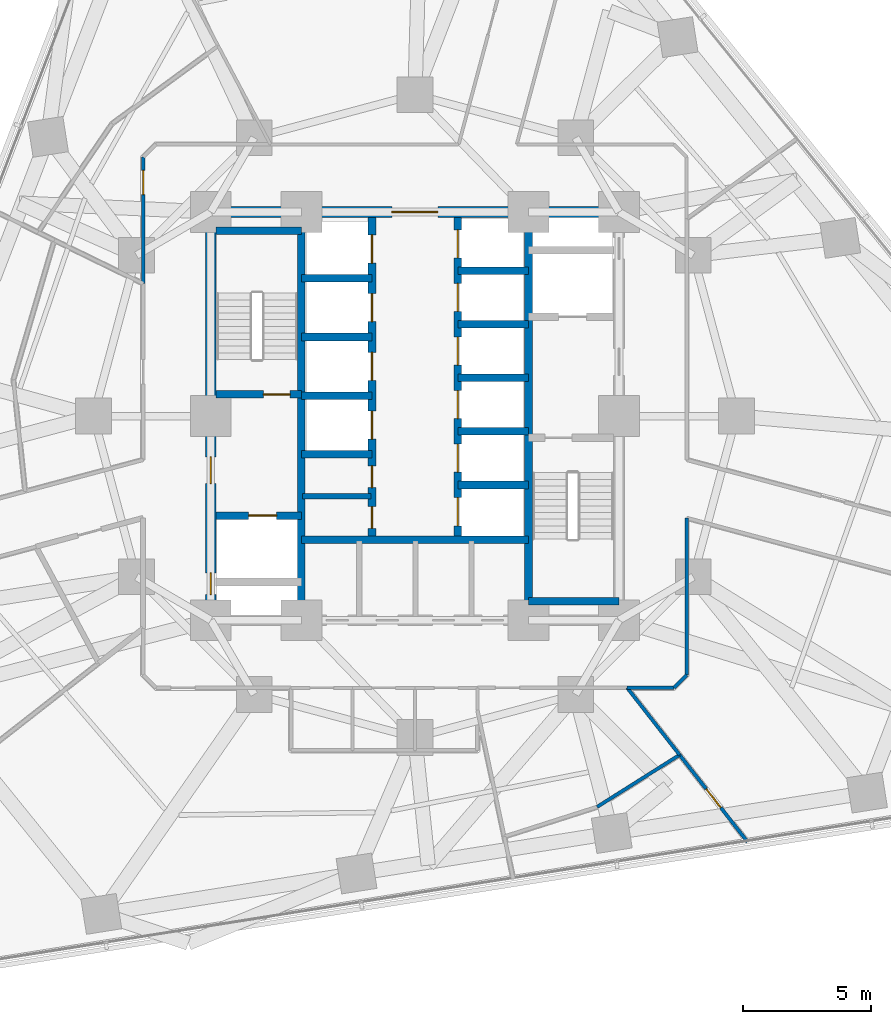
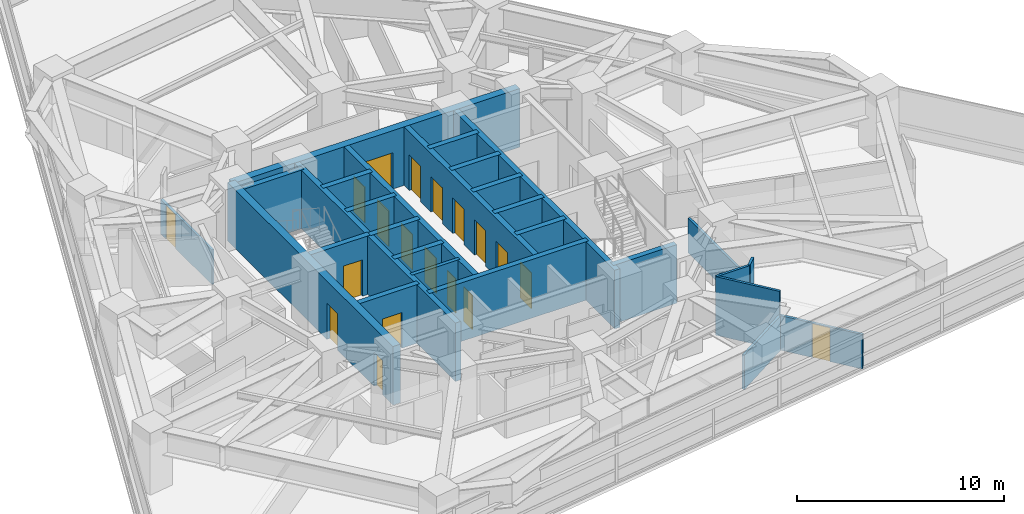
# One storey, part 8 of 13: 28 walls, 19 doors, 19 openings.
"""IFC4 building model written with IfcOpenShell, lengths in metres."""

from ifc_helpers import new_model, si_unit, direction, frame, frame_2d, origin, place, context, subcontext, project, spatial, rectangle, extrude, material, layer, layer_set, type_object, element, fill, save


model = new_model("IFC4")

# Units and contexts
model_context = context("Model", 3, precision=1e-05, world=origin(), true_north=direction((0.0, 1.0)))
body_context = subcontext(model_context, "Body", "Model", "MODEL_VIEW")
ifc_project = project(units=[si_unit("LENGTHUNIT", "METRE"), si_unit("AREAUNIT", "SQUARE_METRE"), si_unit("VOLUMEUNIT", "CUBIC_METRE"), si_unit("PLANEANGLEUNIT", "RADIAN"), si_unit("MASSUNIT", "GRAM", prefix="KILO")], contexts=[model_context])

# Site, building, storey
site_placement = place(None, origin())
site = spatial("IfcSite", under=ifc_project, at=site_placement, CompositionType="ELEMENT")
building_placement = place(site_placement, origin())
building = spatial("IfcBuilding", under=site, at=building_placement, Name="Terralouvre Media Tower", CompositionType="ELEMENT")
storey_placement = place(building_placement, frame((0.0, 0.0, 81.5)))
storey = spatial("IfcBuildingStorey", under=building, at=storey_placement, Name="L20", CompositionType="ELEMENT", Elevation=81.5)

# Walls
ifc_material_1 = material(Name="Concrete C50/60", Category="concrete")
ifc_layer_1 = layer(ifc_material_1, 0.300048828125, Name="Core Internal Shaft Wall CW-300")
ifc_layer_set_1 = layer_set([ifc_layer_1], Name="Concrete C50/60")
wall_type_1 = type_object("IfcWallType", Name="Core Internal Shaft Wall CW-300", PredefinedType="SHEAR", material=ifc_layer_set_1)
for number, where, z_axis, x_axis, name in (
    (1, (-4.449951171875, -7.7900390625, 0.0), (0.0, 0.0, 1.0), (0.0, 1.0, 0.0), "L20 Core Shaft Wall SPW"),
    (2, (4.449951171875, -7.7900390625, 0.0), (0.0, 0.0, 1.0), (0.0, 1.0, 0.0), "L20 Core Shaft Wall SPE"),
):
    element("IfcWall", number, at=place(storey_placement, frame(where, z_axis=z_axis, x_axis=x_axis)), inside=storey, type_object=wall_type_1, Name=name, PredefinedType="SHEAR", context=body_context, shape_type="SweptSolid", body=[
        extrude(rectangle(XDim=15.580078125, YDim=0.300048828125, at=frame_2d((7.7900390625, 0.0))), origin(), (0.0, 0.0, 1.0), 3.4599609375),
    ])

# Wall, opening, door
wall_1_placement = place(storey_placement, frame((-7.7900390625, 0.85009765625, 0.0), z_axis=(0.0, 0.0, 1.0), x_axis=(1.0, 0.0, 0.0)))
wall_1 = element("IfcWall", 3, at=wall_1_placement, inside=storey, type_object=wall_type_1, Name="L20 Core Shaft Wall ST1D", PredefinedType="SHEAR", context=body_context, shape_type="SweptSolid", body=[
    extrude(rectangle(XDim=3.340087890625, YDim=0.300048828125, at=frame_2d((1.669921875, 0.0))), origin(), (0.0, 0.0, 1.0), 3.4599609375),
])
opening_1_placement = place(wall_1_placement, frame((1.85009765625, 0.0, 0.0)))
opening_1 = element("IfcOpeningElement", 4, at=opening_1_placement, cuts=wall_1, Name="Opening FD-01-105X215", PredefinedType="OPENING", context=body_context, shape_type="SweptSolid", body=[
    extrude(rectangle(XDim=1.050048828125, YDim=2.14990234375, at=frame_2d((0.52490234375, 1.074951171875))), frame((0.0, 0.159912109375, 0.0), z_axis=(0.0, -1.0, 0.0), x_axis=(1.0, 0.0, 0.0)), (0.0, 0.0, 1.0), 0.320068359375),
])
ifc_material_2 = material(Name="Galvanised steel fire-resisting leaf", Category="steel")
door_type_1 = type_object("IfcDoorType", Name="Stair and Firefighting Lobby Fire Door FD-01 (1050x2150)", OperationType="NOTDEFINED", PredefinedType="DOOR", material=ifc_material_2)
door_1_placement = place(opening_1_placement, origin())
door_1 = element("IfcDoor", 5, at=door_1_placement, inside=storey, type_object=door_type_1, Name="L20 ST-01 Exit Stair Door", OperationType="SINGLE_SWING_LEFT", OverallHeight=2.14990234375, OverallWidth=1.050048828125, PredefinedType="DOOR", context=body_context, shape_type="SweptSolid", body=[
    extrude(rectangle(XDim=1.050048828125, YDim=2.14990234375, at=frame_2d((0.52490234375, 1.074951171875))), frame((0.0, 0.02490234375, 0.0), z_axis=(0.0, -1.0, 0.0), x_axis=(1.0, 0.0, 0.0)), (0.0, 0.0, 1.0), 0.050048828125),
])
fill(opening_1, door_1)

# Walls
wall_2_placement = place(storey_placement, frame((-7.7900390625, 7.260009765625, 0.0), z_axis=(0.0, 0.0, 1.0), x_axis=(1.0, 0.0, 0.0)))
element("IfcWall", 6, at=wall_2_placement, inside=storey, type_object=wall_type_1, Name="L20 Core Shaft Wall ST1F", PredefinedType="SHEAR", context=body_context, shape_type="SweptSolid", body=[
    extrude(rectangle(XDim=3.340087890625, YDim=0.300048828125, at=frame_2d((1.669921875, 0.0))), origin(), (0.0, 0.0, 1.0), 3.4599609375),
])
wall_3_placement = place(storey_placement, frame((4.449951171875, -7.260009765625, 0.0), z_axis=(0.0, 0.0, 1.0), x_axis=(1.0, 0.0, 0.0)))
element("IfcWall", 7, at=wall_3_placement, inside=storey, type_object=wall_type_1, Name="L20 Core Shaft Wall ST2F", PredefinedType="SHEAR", context=body_context, shape_type="SweptSolid", body=[
    extrude(rectangle(XDim=3.550048828125, YDim=0.300048828125, at=frame_2d((1.77490234375, 0.0))), origin(), (0.0, 0.0, 1.0), 3.4599609375),
])

# Wall, opening, door
wall_4_placement = place(storey_placement, frame((-7.7900390625, -3.89990234375, 0.0), z_axis=(0.0, 0.0, 1.0), x_axis=(1.0, 0.0, 0.0)))
wall_4 = element("IfcWall", 8, at=wall_4_placement, inside=storey, type_object=wall_type_1, Name="L20 Core Shaft Wall FF1N", PredefinedType="SHEAR", context=body_context, shape_type="SweptSolid", body=[
    extrude(rectangle(XDim=3.340087890625, YDim=0.300048828125, at=frame_2d((1.669921875, 0.0))), origin(), (0.0, 0.0, 1.0), 3.4599609375),
])
opening_2_placement = place(wall_4_placement, frame((1.27001953125, 0.0, 0.0)))
opening_2 = element("IfcOpeningElement", 9, at=opening_2_placement, cuts=wall_4, Name="Opening LD-FF", PredefinedType="OPENING", context=body_context, shape_type="SweptSolid", body=[
    extrude(rectangle(XDim=1.10009765625, YDim=2.10009765625, at=frame_2d((0.550048828125, 1.050048828125))), frame((0.0, 0.159912109375, 0.0), z_axis=(0.0, -1.0, 0.0), x_axis=(1.0, 0.0, 0.0)), (0.0, 0.0, 1.0), 0.320068359375),
])
ifc_material_3 = material(Name="Stainless steel 316 handrail and balustrade", Category="steel")
door_type_2 = type_object("IfcDoorType", Name="Firefighting Lift Sliding Landing Door LD-FF", OperationType="SLIDING_TO_LEFT", PredefinedType="DOOR", material=ifc_material_3)
door_2_placement = place(opening_2_placement, origin())
door_2 = element("IfcDoor", 10, at=door_2_placement, inside=storey, type_object=door_type_2, Name="L20 Firefighting Lift FFL-01 Landing Door", OperationType="SLIDING_TO_LEFT", OverallHeight=2.10009765625, OverallWidth=1.10009765625, PredefinedType="DOOR", context=body_context, shape_type="SweptSolid", body=[
    extrude(rectangle(XDim=1.10009765625, YDim=2.10009765625, at=frame_2d((0.550048828125, 1.050048828125))), frame((0.0, 0.02490234375, 0.0), z_axis=(0.0, -1.0, 0.0), x_axis=(1.0, 0.0, 0.0)), (0.0, 0.0, 1.0), 0.050048828125),
])
fill(opening_2, door_2)

# Wall
wall_5_placement = place(storey_placement, frame((-4.449951171875, -4.85009765625, 0.0), z_axis=(0.0, 0.0, 1.0), x_axis=(1.0, 0.0, 0.0)))
element("IfcWall", 11, at=wall_5_placement, inside=storey, type_object=wall_type_1, Name="L20 Core Shaft Wall CSBN", PredefinedType="SHEAR", context=body_context, shape_type="SweptSolid", body=[
    extrude(rectangle(XDim=8.89990234375, YDim=0.300048828125, at=frame_2d((4.449951171875, 0.0))), origin(), (0.0, 0.0, 1.0), 3.4599609375),
])

# Wall, openings, doors
wall_6_placement = place(storey_placement, frame((-1.679931640625, -4.85009765625, 0.0), z_axis=(0.0, 0.0, 1.0), x_axis=(0.0, 1.0, 0.0)))
wall_6 = element("IfcWall", 12, at=wall_6_placement, inside=storey, type_object=wall_type_1, Name="L20 Core Shaft Wall LBW", PredefinedType="SHEAR", context=body_context, shape_type="SweptSolid", body=[
    extrude(rectangle(XDim=12.64013671875, YDim=0.300048828125, at=frame_2d((6.320068359375, 0.0))), origin(), (0.0, 0.0, 1.0), 3.4599609375),
])
opening_3_placement = place(wall_6_placement, frame((3.949951171875, 0.0, 0.0)))
opening_3 = element("IfcOpeningElement", 13, at=opening_3_placement, cuts=wall_6, Name="Opening LD-PL", PredefinedType="OPENING", context=body_context, shape_type="SweptSolid", body=[
    extrude(rectangle(XDim=1.10009765625, YDim=2.10009765625, at=frame_2d((0.550048828125, 1.050048828125))), frame((0.0, 0.159912109375, 0.0), z_axis=(0.0, -1.0, 0.0), x_axis=(1.0, 0.0, 0.0)), (0.0, 0.0, 1.0), 0.320068359375),
])
opening_4_placement = place(wall_6_placement, frame((6.25, 0.0, 0.0)))
opening_4 = element("IfcOpeningElement", 14, at=opening_4_placement, cuts=wall_6, Name="Opening LD-PL", PredefinedType="OPENING", context=body_context, shape_type="SweptSolid", body=[
    extrude(rectangle(XDim=1.10009765625, YDim=2.10009765625, at=frame_2d((0.550048828125, 1.050048828125))), frame((0.0, 0.159912109375, 0.0), z_axis=(0.0, -1.0, 0.0), x_axis=(1.0, 0.0, 0.0)), (0.0, 0.0, 1.0), 0.320068359375),
])
opening_5_placement = place(wall_6_placement, frame((8.550048828125, 0.0, 0.0)))
opening_5 = element("IfcOpeningElement", 15, at=opening_5_placement, cuts=wall_6, Name="Opening LD-PL", PredefinedType="OPENING", context=body_context, shape_type="SweptSolid", body=[
    extrude(rectangle(XDim=1.10009765625, YDim=2.10009765625, at=frame_2d((0.550048828125, 1.050048828125))), frame((0.0, 0.159912109375, 0.0), z_axis=(0.0, -1.0, 0.0), x_axis=(1.0, 0.0, 0.0)), (0.0, 0.0, 1.0), 0.320068359375),
])
opening_6_placement = place(wall_6_placement, frame((10.85009765625, 0.0, 0.0)))
opening_6 = element("IfcOpeningElement", 16, at=opening_6_placement, cuts=wall_6, Name="Opening LD-PL", PredefinedType="OPENING", context=body_context, shape_type="SweptSolid", body=[
    extrude(rectangle(XDim=1.10009765625, YDim=2.10009765625, at=frame_2d((0.550048828125, 1.050048828125))), frame((0.0, 0.159912109375, 0.0), z_axis=(0.0, -1.0, 0.0), x_axis=(1.0, 0.0, 0.0)), (0.0, 0.0, 1.0), 0.320068359375),
])
opening_7_placement = place(wall_6_placement, frame((0.449951171875, 0.0, 0.0)))
opening_7 = element("IfcOpeningElement", 17, at=opening_7_placement, cuts=wall_6, Name="Opening TD-R1", PredefinedType="OPENING", context=body_context, shape_type="SweptSolid", body=[
    extrude(rectangle(XDim=0.85009765625, YDim=2.02001953125, at=frame_2d((0.425048828125, 1.010009765625))), frame((0.0, 0.159912109375, 0.0), z_axis=(0.0, -1.0, 0.0), x_axis=(1.0, 0.0, 0.0)), (0.0, 0.0, 1.0), 0.320068359375),
])
opening_8_placement = place(wall_6_placement, frame((2.050048828125, 0.0, 0.0)))
opening_8 = element("IfcOpeningElement", 18, at=opening_8_placement, cuts=wall_6, Name="Opening TD-R1", PredefinedType="OPENING", context=body_context, shape_type="SweptSolid", body=[
    extrude(rectangle(XDim=0.85009765625, YDim=2.02001953125, at=frame_2d((0.425048828125, 1.010009765625))), frame((0.0, 0.159912109375, 0.0), z_axis=(0.0, -1.0, 0.0), x_axis=(1.0, 0.0, 0.0)), (0.0, 0.0, 1.0), 0.320068359375),
])
ifc_material_4 = material(Name="Stainless steel 316 handrail and balustrade", Category="steel")
door_type_3 = type_object("IfcDoorType", Name="Passenger Lift Sliding Landing Door LD-PL", OperationType="SLIDING_TO_LEFT", PredefinedType="DOOR", material=ifc_material_4)
door_3_placement = place(opening_3_placement, origin())
door_3 = element("IfcDoor", 19, at=door_3_placement, inside=storey, type_object=door_type_3, Name="L20 Low-Rise Lift PL-L1 Landing Door", OperationType="SLIDING_TO_LEFT", OverallHeight=2.10009765625, OverallWidth=1.10009765625, PredefinedType="DOOR", context=body_context, shape_type="SweptSolid", body=[
    extrude(rectangle(XDim=1.10009765625, YDim=2.10009765625, at=frame_2d((0.550048828125, 1.050048828125))), frame((0.0, 0.02490234375, 0.0), z_axis=(0.0, -1.0, 0.0), x_axis=(1.0, 0.0, 0.0)), (0.0, 0.0, 1.0), 0.050048828125),
])
fill(opening_3, door_3)
door_4_placement = place(opening_4_placement, origin())
door_4 = element("IfcDoor", 20, at=door_4_placement, inside=storey, type_object=door_type_3, Name="L20 Low-Rise Lift PL-L2 Landing Door", OperationType="SLIDING_TO_LEFT", OverallHeight=2.10009765625, OverallWidth=1.10009765625, PredefinedType="DOOR", context=body_context, shape_type="SweptSolid", body=[
    extrude(rectangle(XDim=1.10009765625, YDim=2.10009765625, at=frame_2d((0.550048828125, 1.050048828125))), frame((0.0, 0.02490234375, 0.0), z_axis=(0.0, -1.0, 0.0), x_axis=(1.0, 0.0, 0.0)), (0.0, 0.0, 1.0), 0.050048828125),
])
fill(opening_4, door_4)
door_5_placement = place(opening_5_placement, origin())
door_5 = element("IfcDoor", 21, at=door_5_placement, inside=storey, type_object=door_type_3, Name="L20 Low-Rise Lift PL-L3 Landing Door", OperationType="SLIDING_TO_LEFT", OverallHeight=2.10009765625, OverallWidth=1.10009765625, PredefinedType="DOOR", context=body_context, shape_type="SweptSolid", body=[
    extrude(rectangle(XDim=1.10009765625, YDim=2.10009765625, at=frame_2d((0.550048828125, 1.050048828125))), frame((0.0, 0.02490234375, 0.0), z_axis=(0.0, -1.0, 0.0), x_axis=(1.0, 0.0, 0.0)), (0.0, 0.0, 1.0), 0.050048828125),
])
fill(opening_5, door_5)
door_6_placement = place(opening_6_placement, origin())
door_6 = element("IfcDoor", 22, at=door_6_placement, inside=storey, type_object=door_type_3, Name="L20 Low-Rise Lift PL-L4 Landing Door", OperationType="SLIDING_TO_LEFT", OverallHeight=2.10009765625, OverallWidth=1.10009765625, PredefinedType="DOOR", context=body_context, shape_type="SweptSolid", body=[
    extrude(rectangle(XDim=1.10009765625, YDim=2.10009765625, at=frame_2d((0.550048828125, 1.050048828125))), frame((0.0, 0.02490234375, 0.0), z_axis=(0.0, -1.0, 0.0), x_axis=(1.0, 0.0, 0.0)), (0.0, 0.0, 1.0), 0.050048828125),
])
fill(opening_6, door_6)
ifc_material_5 = material(Name="Galvanised steel fire-resisting leaf", Category="steel")
door_type_4 = type_object("IfcDoorType", Name="Riser Inspection Access Trapdoor TD-R1", OperationType="NOTDEFINED", PredefinedType="TRAPDOOR", material=ifc_material_5)
door_7_placement = place(opening_7_placement, origin())
door_7 = element("IfcDoor", 23, at=door_7_placement, inside=storey, type_object=door_type_4, Name="L20 Core Cleaners Closet Door", OperationType="SINGLE_SWING_LEFT", OverallHeight=2.02001953125, OverallWidth=0.85009765625, PredefinedType="TRAPDOOR", context=body_context, shape_type="SweptSolid", body=[
    extrude(rectangle(XDim=0.85009765625, YDim=2.02001953125, at=frame_2d((0.425048828125, 1.010009765625))), frame((0.0, 0.02490234375, 0.0), z_axis=(0.0, -1.0, 0.0), x_axis=(1.0, 0.0, 0.0)), (0.0, 0.0, 1.0), 0.050048828125),
])
fill(opening_7, door_7)
door_8_placement = place(opening_8_placement, origin())
door_8 = element("IfcDoor", 24, at=door_8_placement, inside=storey, type_object=door_type_4, Name="L20 Core Metering Closet Door", OperationType="SINGLE_SWING_RIGHT", OverallHeight=2.02001953125, OverallWidth=0.85009765625, PredefinedType="TRAPDOOR", context=body_context, shape_type="SweptSolid", body=[
    extrude(rectangle(XDim=0.85009765625, YDim=2.02001953125, at=frame_2d((0.425048828125, 1.010009765625))), frame((0.0, 0.02490234375, 0.0), z_axis=(0.0, -1.0, 0.0), x_axis=(1.0, 0.0, 0.0)), (0.0, 0.0, 1.0), 0.050048828125),
])
fill(opening_8, door_8)

wall_7_placement = place(storey_placement, frame((1.679931640625, -4.85009765625, 0.0), z_axis=(0.0, 0.0, 1.0), x_axis=(0.0, 1.0, 0.0)))
wall_7 = element("IfcWall", 25, at=wall_7_placement, inside=storey, type_object=wall_type_1, Name="L20 Core Shaft Wall LBE", PredefinedType="SHEAR", context=body_context, shape_type="SweptSolid", body=[
    extrude(rectangle(XDim=12.64013671875, YDim=0.300048828125, at=frame_2d((6.320068359375, 0.0))), origin(), (0.0, 0.0, 1.0), 3.4599609375),
])
opening_9_placement = place(wall_7_placement, frame((0.550048828125, 0.0, 0.0)))
opening_9 = element("IfcOpeningElement", 26, at=opening_9_placement, cuts=wall_7, Name="Opening LD-PL", PredefinedType="OPENING", context=body_context, shape_type="SweptSolid", body=[
    extrude(rectangle(XDim=1.10009765625, YDim=2.10009765625, at=frame_2d((0.550048828125, 1.050048828125))), frame((0.0, 0.159912109375, 0.0), z_axis=(0.0, -1.0, 0.0), x_axis=(1.0, 0.0, 0.0)), (0.0, 0.0, 1.0), 0.320068359375),
])
opening_10_placement = place(wall_7_placement, frame((2.64990234375, 0.0, 0.0)))
opening_10 = element("IfcOpeningElement", 27, at=opening_10_placement, cuts=wall_7, Name="Opening LD-PL", PredefinedType="OPENING", context=body_context, shape_type="SweptSolid", body=[
    extrude(rectangle(XDim=1.10009765625, YDim=2.10009765625, at=frame_2d((0.550048828125, 1.050048828125))), frame((0.0, 0.159912109375, 0.0), z_axis=(0.0, -1.0, 0.0), x_axis=(1.0, 0.0, 0.0)), (0.0, 0.0, 1.0), 0.320068359375),
])
opening_11_placement = place(wall_7_placement, frame((4.75, 0.0, 0.0)))
opening_11 = element("IfcOpeningElement", 28, at=opening_11_placement, cuts=wall_7, Name="Opening LD-PL", PredefinedType="OPENING", context=body_context, shape_type="SweptSolid", body=[
    extrude(rectangle(XDim=1.10009765625, YDim=2.10009765625, at=frame_2d((0.550048828125, 1.050048828125))), frame((0.0, 0.159912109375, 0.0), z_axis=(0.0, -1.0, 0.0), x_axis=(1.0, 0.0, 0.0)), (0.0, 0.0, 1.0), 0.320068359375),
])
opening_12_placement = place(wall_7_placement, frame((6.85009765625, 0.0, 0.0)))
opening_12 = element("IfcOpeningElement", 29, at=opening_12_placement, cuts=wall_7, Name="Opening LD-PL", PredefinedType="OPENING", context=body_context, shape_type="SweptSolid", body=[
    extrude(rectangle(XDim=1.10009765625, YDim=2.10009765625, at=frame_2d((0.550048828125, 1.050048828125))), frame((0.0, 0.159912109375, 0.0), z_axis=(0.0, -1.0, 0.0), x_axis=(1.0, 0.0, 0.0)), (0.0, 0.0, 1.0), 0.320068359375),
])
opening_13_placement = place(wall_7_placement, frame((8.949951171875, 0.0, 0.0)))
opening_13 = element("IfcOpeningElement", 30, at=opening_13_placement, cuts=wall_7, Name="Opening LD-PL", PredefinedType="OPENING", context=body_context, shape_type="SweptSolid", body=[
    extrude(rectangle(XDim=1.10009765625, YDim=2.10009765625, at=frame_2d((0.550048828125, 1.050048828125))), frame((0.0, 0.159912109375, 0.0), z_axis=(0.0, -1.0, 0.0), x_axis=(1.0, 0.0, 0.0)), (0.0, 0.0, 1.0), 0.320068359375),
])
opening_14_placement = place(wall_7_placement, frame((11.050048828125, 0.0, 0.0)))
opening_14 = element("IfcOpeningElement", 31, at=opening_14_placement, cuts=wall_7, Name="Opening LD-PL", PredefinedType="OPENING", context=body_context, shape_type="SweptSolid", body=[
    extrude(rectangle(XDim=1.10009765625, YDim=2.10009765625, at=frame_2d((0.550048828125, 1.050048828125))), frame((0.0, 0.159912109375, 0.0), z_axis=(0.0, -1.0, 0.0), x_axis=(1.0, 0.0, 0.0)), (0.0, 0.0, 1.0), 0.320068359375),
])
door_9_placement = place(opening_9_placement, origin())
door_9 = element("IfcDoor", 32, at=door_9_placement, inside=storey, type_object=door_type_3, Name="L20 High-Rise Lift PL-H1 Landing Door", OperationType="SLIDING_TO_LEFT", OverallHeight=2.10009765625, OverallWidth=1.10009765625, PredefinedType="DOOR", context=body_context, shape_type="SweptSolid", body=[
    extrude(rectangle(XDim=1.10009765625, YDim=2.10009765625, at=frame_2d((0.550048828125, 1.050048828125))), frame((0.0, 0.02490234375, 0.0), z_axis=(0.0, -1.0, 0.0), x_axis=(1.0, 0.0, 0.0)), (0.0, 0.0, 1.0), 0.050048828125),
])
fill(opening_9, door_9)
door_10_placement = place(opening_10_placement, origin())
door_10 = element("IfcDoor", 33, at=door_10_placement, inside=storey, type_object=door_type_3, Name="L20 High-Rise Lift PL-H2 Landing Door", OperationType="SLIDING_TO_LEFT", OverallHeight=2.10009765625, OverallWidth=1.10009765625, PredefinedType="DOOR", context=body_context, shape_type="SweptSolid", body=[
    extrude(rectangle(XDim=1.10009765625, YDim=2.10009765625, at=frame_2d((0.550048828125, 1.050048828125))), frame((0.0, 0.02490234375, 0.0), z_axis=(0.0, -1.0, 0.0), x_axis=(1.0, 0.0, 0.0)), (0.0, 0.0, 1.0), 0.050048828125),
])
fill(opening_10, door_10)
door_11_placement = place(opening_11_placement, origin())
door_11 = element("IfcDoor", 34, at=door_11_placement, inside=storey, type_object=door_type_3, Name="L20 High-Rise Lift PL-H3 Landing Door", OperationType="SLIDING_TO_LEFT", OverallHeight=2.10009765625, OverallWidth=1.10009765625, PredefinedType="DOOR", context=body_context, shape_type="SweptSolid", body=[
    extrude(rectangle(XDim=1.10009765625, YDim=2.10009765625, at=frame_2d((0.550048828125, 1.050048828125))), frame((0.0, 0.02490234375, 0.0), z_axis=(0.0, -1.0, 0.0), x_axis=(1.0, 0.0, 0.0)), (0.0, 0.0, 1.0), 0.050048828125),
])
fill(opening_11, door_11)
door_12_placement = place(opening_12_placement, origin())
door_12 = element("IfcDoor", 35, at=door_12_placement, inside=storey, type_object=door_type_3, Name="L20 Mid-Rise Lift PL-M1 Landing Door", OperationType="SLIDING_TO_LEFT", OverallHeight=2.10009765625, OverallWidth=1.10009765625, PredefinedType="DOOR", context=body_context, shape_type="SweptSolid", body=[
    extrude(rectangle(XDim=1.10009765625, YDim=2.10009765625, at=frame_2d((0.550048828125, 1.050048828125))), frame((0.0, 0.02490234375, 0.0), z_axis=(0.0, -1.0, 0.0), x_axis=(1.0, 0.0, 0.0)), (0.0, 0.0, 1.0), 0.050048828125),
])
fill(opening_12, door_12)
door_13_placement = place(opening_13_placement, origin())
door_13 = element("IfcDoor", 36, at=door_13_placement, inside=storey, type_object=door_type_3, Name="L20 Mid-Rise Lift PL-M2 Landing Door", OperationType="SLIDING_TO_LEFT", OverallHeight=2.10009765625, OverallWidth=1.10009765625, PredefinedType="DOOR", context=body_context, shape_type="SweptSolid", body=[
    extrude(rectangle(XDim=1.10009765625, YDim=2.10009765625, at=frame_2d((0.550048828125, 1.050048828125))), frame((0.0, 0.02490234375, 0.0), z_axis=(0.0, -1.0, 0.0), x_axis=(1.0, 0.0, 0.0)), (0.0, 0.0, 1.0), 0.050048828125),
])
fill(opening_13, door_13)
door_14_placement = place(opening_14_placement, origin())
door_14 = element("IfcDoor", 37, at=door_14_placement, inside=storey, type_object=door_type_3, Name="L20 Mid-Rise Lift PL-M3 Landing Door", OperationType="SLIDING_TO_LEFT", OverallHeight=2.10009765625, OverallWidth=1.10009765625, PredefinedType="DOOR", context=body_context, shape_type="SweptSolid", body=[
    extrude(rectangle(XDim=1.10009765625, YDim=2.10009765625, at=frame_2d((0.550048828125, 1.050048828125))), frame((0.0, 0.02490234375, 0.0), z_axis=(0.0, -1.0, 0.0), x_axis=(1.0, 0.0, 0.0)), (0.0, 0.0, 1.0), 0.050048828125),
])
fill(opening_14, door_14)

# Walls
for number, where, z_axis, x_axis, name in (
    (38, (-4.449951171875, -1.5, 0.0), (0.0, 0.0, 1.0), (1.0, 0.0, 0.0), "L20 Core Shaft Wall PLLD0"),
    (39, (-4.449951171875, 0.800048828125, 0.0), (0.0, 0.0, 1.0), (1.0, 0.0, 0.0), "L20 Core Shaft Wall PLLD1"),
    (40, (-4.449951171875, 3.10009765625, 0.0), (0.0, 0.0, 1.0), (1.0, 0.0, 0.0), "L20 Core Shaft Wall PLLD2"),
    (41, (-4.449951171875, 5.39990234375, 0.0), (0.0, 0.0, 1.0), (1.0, 0.0, 0.0), "L20 Core Shaft Wall PLLD3"),
    (42, (1.679931640625, 1.5, 0.0), (0.0, 0.0, 1.0), (1.0, 0.0, 0.0), "L20 Core Shaft Wall PLMD0"),
    (43, (1.679931640625, 3.60009765625, 0.0), (0.0, 0.0, 1.0), (1.0, 0.0, 0.0), "L20 Core Shaft Wall PLMD1"),
    (44, (1.679931640625, 5.699951171875, 0.0), (0.0, 0.0, 1.0), (1.0, 0.0, 0.0), "L20 Core Shaft Wall PLMD2"),
    (45, (1.679931640625, -2.699951171875, 0.0), (0.0, 0.0, 1.0), (1.0, 0.0, 0.0), "L20 Core Shaft Wall PLHD1"),
    (46, (1.679931640625, -0.60009765625, 0.0), (0.0, 0.0, 1.0), (1.0, 0.0, 0.0), "L20 Core Shaft Wall PLHD2"),
):
    element("IfcWall", number, at=place(storey_placement, frame(where, z_axis=z_axis, x_axis=x_axis)), inside=storey, type_object=wall_type_1, Name=name, PredefinedType="SHEAR", context=body_context, shape_type="SweptSolid", body=[
        extrude(rectangle(XDim=2.77001953125, YDim=0.300048828125, at=frame_2d((1.385009765625, 0.0))), origin(), (0.0, 0.0, 1.0), 3.4599609375),
    ])

# Wall, openings, doors
ifc_material_6 = material(Name="Concrete C60/75", Category="concrete")
ifc_layer_2 = layer(ifc_material_6, 0.419921875, Name="Core Reinforced Concrete Shear Wall CW-420")
ifc_layer_set_2 = layer_set([ifc_layer_2], Name="Concrete C60/75")
wall_type_2 = type_object("IfcWallType", Name="Core Reinforced Concrete Shear Wall CW-420", PredefinedType="SHEAR", material=ifc_layer_set_2)
wall_8_placement = place(storey_placement, frame((-8.0, -8.0, 0.0), z_axis=(0.0, 0.0, 1.0), x_axis=(0.0, 1.0, 0.0)))
wall_8 = element("IfcWall", 47, at=wall_8_placement, inside=storey, type_object=wall_type_2, Name="L20 W Core Shear Wall", PredefinedType="SHEAR", context=body_context, shape_type="SweptSolid", body=[
    extrude(rectangle(XDim=16.0, YDim=0.419921875, at=frame_2d((8.0, 0.0))), origin(), (0.0, 0.0, 1.0), 3.4599609375),
])
opening_15_placement = place(wall_8_placement, frame((1.001708984375, 0.0, 0.0)))
opening_15 = element("IfcOpeningElement", 48, at=opening_15_placement, cuts=wall_8, Name="Opening TD-R1", PredefinedType="OPENING", context=body_context, shape_type="SweptSolid", body=[
    extrude(rectangle(XDim=0.85009765625, YDim=2.02001953125, at=frame_2d((0.425048828125, 1.010009765625))), frame((0.0, 0.219970703125, 0.0), z_axis=(0.0, -1.0, 0.0), x_axis=(1.0, 0.0, 0.0)), (0.0, 0.0, 1.0), 0.43994140625),
])
opening_16_placement = place(wall_8_placement, frame((5.35009765625, 0.0, 0.0)))
opening_16 = element("IfcOpeningElement", 49, at=opening_16_placement, cuts=wall_8, Name="Opening FD-01-105X215", PredefinedType="OPENING", context=body_context, shape_type="SweptSolid", body=[
    extrude(rectangle(XDim=1.050048828125, YDim=2.14990234375, at=frame_2d((0.52490234375, 1.074951171875))), frame((0.0, 0.219970703125, 0.0), z_axis=(0.0, -1.0, 0.0), x_axis=(1.0, 0.0, 0.0)), (0.0, 0.0, 1.0), 0.43994140625),
])
door_15_placement = place(opening_15_placement, origin())
door_15 = element("IfcDoor", 50, at=door_15_placement, inside=storey, type_object=door_type_4, Name="L20 Wet Riser Access Trapdoor", OperationType="SINGLE_SWING_LEFT", OverallHeight=2.02001953125, OverallWidth=0.85009765625, PredefinedType="TRAPDOOR", context=body_context, shape_type="SweptSolid", body=[
    extrude(rectangle(XDim=0.85009765625, YDim=2.02001953125, at=frame_2d((0.425048828125, 1.010009765625))), frame((0.0, 0.02490234375, 0.0), z_axis=(0.0, -1.0, 0.0), x_axis=(1.0, 0.0, 0.0)), (0.0, 0.0, 1.0), 0.050048828125),
])
fill(opening_15, door_15)
door_16_placement = place(opening_16_placement, origin())
door_16 = element("IfcDoor", 51, at=door_16_placement, inside=storey, type_object=door_type_1, Name="L20 West Firefighting Lobby Entry Door", OperationType="SINGLE_SWING_RIGHT", OverallHeight=2.14990234375, OverallWidth=1.050048828125, PredefinedType="DOOR", context=body_context, shape_type="SweptSolid", body=[
    extrude(rectangle(XDim=1.050048828125, YDim=2.14990234375, at=frame_2d((0.52490234375, 1.074951171875))), frame((0.0, 0.02490234375, 0.0), z_axis=(0.0, -1.0, 0.0), x_axis=(1.0, 0.0, 0.0)), (0.0, 0.0, 1.0), 0.050048828125),
])
fill(opening_16, door_16)

# Wall, opening, door
wall_9_placement = place(storey_placement, frame((-8.0, 8.0, 0.0), z_axis=(0.0, 0.0, 1.0), x_axis=(1.0, 0.0, 0.0)))
wall_9 = element("IfcWall", 52, at=wall_9_placement, inside=storey, type_object=wall_type_2, Name="L20 N Core Shear Wall", PredefinedType="SHEAR", context=body_context, shape_type="SweptSolid", body=[
    extrude(rectangle(XDim=16.0, YDim=0.419921875, at=frame_2d((8.0, 0.0))), origin(), (0.0, 0.0, 1.0), 3.4599609375),
])
opening_17_placement = place(wall_9_placement, frame((7.10009765625, 0.0, 0.0)))
opening_17 = element("IfcOpeningElement", 53, at=opening_17_placement, cuts=wall_9, Name="Opening FD-03", PredefinedType="OPENING", context=body_context, shape_type="SweptSolid", body=[
    extrude(rectangle(XDim=1.800048828125, YDim=2.14990234375, at=frame_2d((0.89990234375, 1.074951171875))), frame((0.0, 0.219970703125, 0.0), z_axis=(0.0, -1.0, 0.0), x_axis=(1.0, 0.0, 0.0)), (0.0, 0.0, 1.0), 0.43994140625),
])
ifc_material_7 = material(Name="Galvanised steel fire-resisting leaf", Category="steel")
door_type_5 = type_object("IfcDoorType", Name="Corridor Smoke-Control Double Door FD-03", OperationType="DOUBLE_DOOR_SINGLE_SWING", PredefinedType="DOOR", material=ifc_material_7)
door_17_placement = place(opening_17_placement, origin())
door_17 = element("IfcDoor", 54, at=door_17_placement, inside=storey, type_object=door_type_5, Name="L20 Central Lift Lobby Portal Door", OperationType="DOUBLE_DOOR_SINGLE_SWING", OverallHeight=2.14990234375, OverallWidth=1.800048828125, PredefinedType="DOOR", context=body_context, shape_type="SweptSolid", body=[
    extrude(rectangle(XDim=1.800048828125, YDim=2.14990234375, at=frame_2d((0.89990234375, 1.074951171875))), frame((0.0, 0.02490234375, 0.0), z_axis=(0.0, -1.0, 0.0), x_axis=(1.0, 0.0, 0.0)), (0.0, 0.0, 1.0), 0.050048828125),
])
fill(opening_17, door_17)

# Walls
ifc_material_8 = material(Name="Fire-rated gypsum board drywall partition")
ifc_layer_3 = layer(ifc_material_8, 0.199951171875, Name="Fire-Rated Shaft and Lobby Partition FW-200")
ifc_layer_set_3 = layer_set([ifc_layer_3], Name="Fire-rated gypsum board drywall partition")
wall_type_3 = type_object("IfcWallType", Name="Fire-Rated Shaft and Lobby Partition FW-200", PredefinedType="SOLIDWALL", material=ifc_layer_set_3)
wall_10_placement = place(storey_placement, frame((-4.39990234375, -3.139892578125, 0.0), z_axis=(0.0, 0.0, 1.0), x_axis=(1.0, 0.0, 0.0)))
element("IfcWall", 55, at=wall_10_placement, inside=storey, type_object=wall_type_3, Name="L20 Core West Sub-Partition 1", PredefinedType="SOLIDWALL", context=body_context, shape_type="SweptSolid", body=[
    extrude(rectangle(XDim=2.679931640625, YDim=0.199951171875, at=frame_2d((1.33984375, 0.0))), origin(), (0.0, 0.0, 1.0), 3.4599609375),
])
ifc_material_9 = material(Name="Fire-rated gypsum board drywall partition")
ifc_layer_4 = layer(ifc_material_9, 0.135009765625, Name="Newsroom Acoustic Partition PT-135")
ifc_layer_set_4 = layer_set([ifc_layer_4], Name="Fire-rated gypsum board drywall partition")
wall_type_4 = type_object("IfcWallType", Name="Newsroom Acoustic Partition PT-135", PredefinedType="PARTITIONING", material=ifc_layer_set_4)
wall_11_placement = place(storey_placement, frame((8.321044921875, -10.64990234375, 0.0), z_axis=(0.0, 0.0, 1.0), x_axis=(1.0, 0.0, 0.0)))
element("IfcWall", 56, at=wall_11_placement, inside=storey, type_object=wall_type_4, Name="L20 Interior Partition 001", PredefinedType="PARTITIONING", context=body_context, shape_type="SweptSolid", body=[
    extrude(rectangle(XDim=1.828857421875, YDim=0.135009765625, at=frame_2d((0.91455078125, 0.0))), origin(), (0.0, 0.0, 1.0), 3.4599609375),
])
wall_12_placement = place(storey_placement, frame((10.14990234375, -10.64990234375, 0.0), z_axis=(0.0, 0.0, 1.0), x_axis=(0.707106781187, 0.707106781187, 0.0)))
element("IfcWall", 57, at=wall_12_placement, inside=storey, type_object=wall_type_4, Name="L20 Interior Partition 002", PredefinedType="PARTITIONING", context=body_context, shape_type="SweptSolid", body=[
    extrude(rectangle(XDim=0.70703125, YDim=0.135009765625, at=frame_2d((0.353515625, 0.0))), origin(), (0.0, 0.0, 1.0), 3.4599609375),
])
wall_13_placement = place(storey_placement, frame((10.64990234375, -10.14990234375, 0.0), z_axis=(0.0, 0.0, 1.0), x_axis=(0.0, 1.0, 0.0)))
element("IfcWall", 58, at=wall_13_placement, inside=storey, type_object=wall_type_4, Name="L20 Interior Partition 003", PredefinedType="PARTITIONING", context=body_context, shape_type="SweptSolid", body=[
    extrude(rectangle(XDim=6.157958984375, YDim=0.135009765625, at=frame_2d((3.0791015625, 0.0))), origin(), (0.0, 0.0, 1.0), 2.044921875),
])

# Wall, opening, door
wall_14_placement = place(storey_placement, frame((-10.64990234375, 10.14990234375, 0.0), z_axis=(0.0, 0.0, 1.0), x_axis=(0.0, -1.0, 0.0)))
wall_14 = element("IfcWall", 59, at=wall_14_placement, inside=storey, type_object=wall_type_4, Name="L20 Interior Partition 031", PredefinedType="PARTITIONING", context=body_context, shape_type="SweptSolid", body=[
    extrude(rectangle(XDim=4.955810546875, YDim=0.135009765625, at=frame_2d((2.47802734375, 0.0))), origin(), (0.0, 0.0, 1.0), 2.044921875),
])
opening_18_placement = place(wall_14_placement, frame((0.51611328125, 0.0, 0.0)))
opening_18 = element("IfcOpeningElement", 60, at=opening_18_placement, cuts=wall_14, Name="Opening ID-02", PredefinedType="OPENING", context=body_context, shape_type="SweptSolid", body=[
    extrude(rectangle(XDim=0.949951171875, YDim=2.0, at=frame_2d((0.47509765625, 1.0))), frame((0.0, 0.077392578125, 0.0), z_axis=(0.0, -1.0, 0.0), x_axis=(1.0, 0.0, 0.0)), (0.0, 0.0, 1.0), 0.155029296875),
])
ifc_material_10 = material(Name="Engineered hardwood acoustic timber leaf", Category="wood")
door_type_6 = type_object("IfcDoorType", Name="Office and Meeting Room Door ID-02", OperationType="NOTDEFINED", PredefinedType="DOOR", material=ifc_material_10)
door_18_placement = place(opening_18_placement, origin())
door_18 = element("IfcDoor", 61, at=door_18_placement, inside=storey, type_object=door_type_6, Name="L20 ASEAN Regional Bureau Open Office 10 Door", OperationType="SINGLE_SWING_RIGHT", OverallHeight=2.0, OverallWidth=0.949951171875, PredefinedType="DOOR", context=body_context, shape_type="SweptSolid", body=[
    extrude(rectangle(XDim=0.949951171875, YDim=2.0, at=frame_2d((0.47509765625, 1.0))), frame((0.0, 0.02490234375, 0.0), z_axis=(0.0, -1.0, 0.0), x_axis=(1.0, 0.0, 0.0)), (0.0, 0.0, 1.0), 0.050048828125),
])
fill(opening_18, door_18)

# Wall
wall_15_placement = place(storey_placement, frame((8.321044921875, -10.64990234375, 0.0), z_axis=(0.0, 0.0, 1.0), x_axis=(0.615591477706, -0.788065436735, 0.0)))
element("IfcWall", 62, at=wall_15_placement, inside=storey, type_object=wall_type_4, Name="L20 Interior Partition 033", PredefinedType="PARTITIONING", context=body_context, shape_type="SweptSolid", body=[
    extrude(rectangle(XDim=3.3349609375, YDim=0.135009765625, at=frame_2d((1.66748046875, 0.0))), origin(), (0.0, 0.0, 1.0), 3.4599609375),
])

# Wall, opening, door
wall_16_placement = place(storey_placement, frame((10.3740234375, -13.278076171875, 0.0), z_axis=(0.0, 0.0, 1.0), x_axis=(0.615554166302, -0.78809458084, 0.0)))
wall_16 = element("IfcWall", 63, at=wall_16_placement, inside=storey, type_object=wall_type_4, Name="L20 Interior Partition 034", PredefinedType="PARTITIONING", context=body_context, shape_type="SweptSolid", body=[
    extrude(rectangle(XDim=4.32275390625, YDim=0.135009765625, at=frame_2d((2.161376953125, 0.0))), origin(), (0.0, 0.0, 1.0), 2.044921875),
])
opening_19_placement = place(wall_16_placement, frame((1.701416015625, 0.0, 0.0)))
opening_19 = element("IfcOpeningElement", 64, at=opening_19_placement, cuts=wall_16, Name="Opening ID-03", PredefinedType="OPENING", context=body_context, shape_type="SweptSolid", body=[
    extrude(rectangle(XDim=0.919921875, YDim=2.0, at=frame_2d((0.4599609375, 1.0))), frame((0.0, 0.077392578125, 0.0), z_axis=(0.0, -1.0, 0.0), x_axis=(1.0, 0.0, 0.0)), (0.0, 0.0, 1.0), 0.155029296875),
])
ifc_material_11 = material(Name="Engineered hardwood acoustic timber leaf", Category="wood")
door_type_7 = type_object("IfcDoorType", Name="Accessible Restroom and Suite Door ID-03", OperationType="NOTDEFINED", PredefinedType="DOOR", material=ifc_material_11)
door_19_placement = place(opening_19_placement, origin())
door_19 = element("IfcDoor", 65, at=door_19_placement, inside=storey, type_object=door_type_7, Name="L20 Pacific Desk Workspace 8 Door", OperationType="SINGLE_SWING_LEFT", OverallHeight=2.0, OverallWidth=0.919921875, PredefinedType="DOOR", context=body_context, shape_type="SweptSolid", body=[
    extrude(rectangle(XDim=0.919921875, YDim=2.0, at=frame_2d((0.4599609375, 1.0))), frame((0.0, 0.02490234375, 0.0), z_axis=(0.0, -1.0, 0.0), x_axis=(1.0, 0.0, 0.0)), (0.0, 0.0, 1.0), 0.050048828125),
])
fill(opening_19, door_19)

# Wall
wall_17_placement = place(storey_placement, frame((7.14208984375, -15.31689453125, 0.0), z_axis=(0.0, 0.0, 1.0), x_axis=(0.845772681814, 0.533543410321, 0.0)))
element("IfcWall", 66, at=wall_17_placement, inside=storey, type_object=wall_type_4, Name="L20 Interior Partition 056", PredefinedType="PARTITIONING", context=body_context, shape_type="SweptSolid", body=[
    extrude(rectangle(XDim=3.8212890625, YDim=0.135009765625, at=frame_2d((1.91064453125, 0.0))), origin(), (0.0, 0.0, 1.0), 2.044921875),
])

save(model, "model.ifc")
